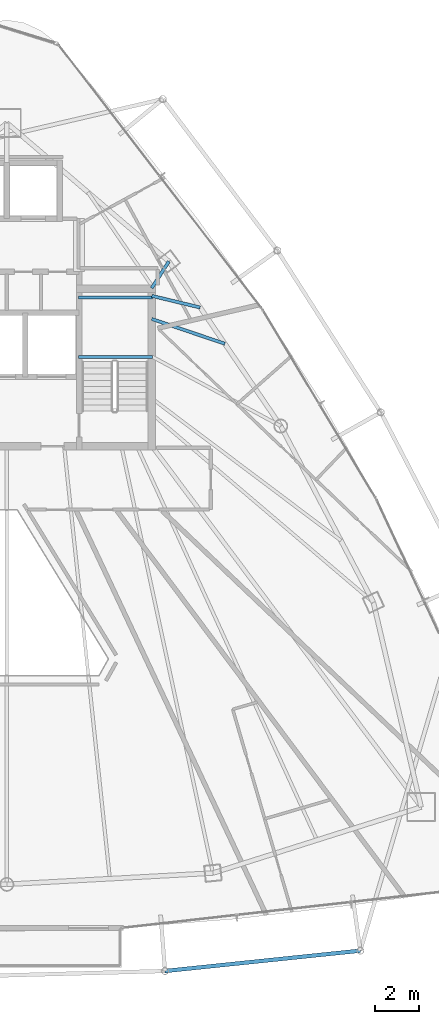
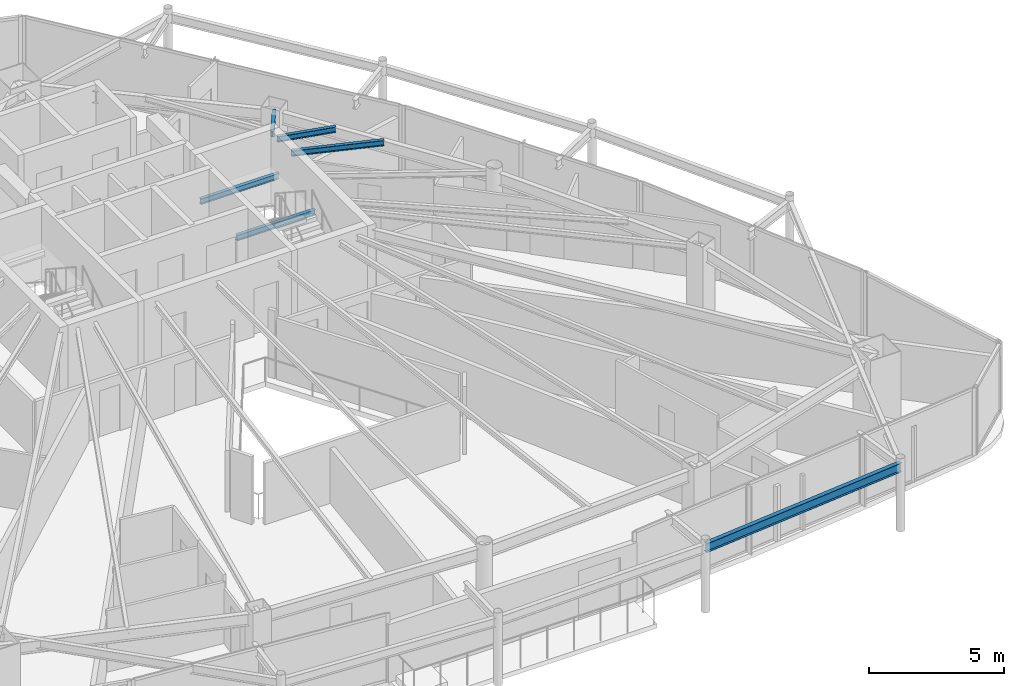
# One storey, part 13 of 32: 6 beams.
"""IFC4 building model written with IfcOpenShell, lengths in metres."""

from ifc_helpers import new_model, si_unit, direction, frame, origin, origin_2d, place, context, subcontext, project, spatial, i_section, extrude, material, material_profile, profile_set, type_object, element, save


model = new_model("IFC4")

# Units and contexts
model_context = context("Model", 3, precision=1e-05, world=origin(), true_north=direction((0.0, 1.0)))
body_context = subcontext(model_context, "Body", "Model", "MODEL_VIEW")
ifc_project = project(units=[si_unit("LENGTHUNIT", "METRE"), si_unit("AREAUNIT", "SQUARE_METRE"), si_unit("VOLUMEUNIT", "CUBIC_METRE"), si_unit("PLANEANGLEUNIT", "RADIAN"), si_unit("MASSUNIT", "GRAM", prefix="KILO")], contexts=[model_context])

# Site, building, storey
site_placement = place(None, origin())
site = spatial("IfcSite", under=ifc_project, at=site_placement, CompositionType="ELEMENT")
building_placement = place(site_placement, origin())
building = spatial("IfcBuilding", under=site, at=building_placement, Name="Orvanel Arch Residences", CompositionType="ELEMENT")
storey_placement = place(building_placement, frame((0.0, 0.0, 216.199951171875)))
storey = spatial("IfcBuildingStorey", under=building, at=storey_placement, Name="L61", CompositionType="ELEMENT", Elevation=216.199951171875)

# Beams
ifc_material = material(Name="Structural steel AS/NZS 3679.1 Grade 300 (300 MPa)", Category="steel")
ifc_material_profile_1 = material_profile(ifc_material, i_section(OverallWidth=0.14599609375, OverallDepth=0.251953125, WebThickness=0.006103515625, FlangeThickness=0.008544921875, at=origin_2d()), Name="250UB31.4")
ifc_profile_set_1 = profile_set([ifc_material_profile_1], Name="Structural steel AS/NZS 3679.1 Grade 300 (300 MPa)")
beam_type_1 = type_object("IfcBeamType", Name="BJ-250UB", PredefinedType="JOIST", material=ifc_profile_set_1)
for number, where, z_axis, x_axis, name in (
    (1, (36.25, 30.780029296875, 1.323974609375), (1.0, 0.0, 0.0), (0.0, 1.0, 0.0), "L61 ST-2 Half-Landing Support Beam 1.1"),
    (2, (36.25, 33.47998046875, 1.323974609375), (1.0, 0.0, 0.0), (0.0, 1.0, 0.0), "L61 ST-2 Half-Landing Support Beam 1.2"),
):
    element("IfcBeam", number, at=place(storey_placement, frame(where, z_axis=z_axis, x_axis=x_axis)), inside=storey, type_object=beam_type_1, Name=name, PredefinedType="JOIST", context=body_context, shape_type="SweptSolid", body=[
        extrude(i_section(OverallWidth=0.14599609375, OverallDepth=0.251953125, WebThickness=0.006103515625, FlangeThickness=0.008544921875, at=origin_2d()), origin(), (0.0, 0.0, 1.0), 3.35009765625),
    ])
beam_1_placement = place(storey_placement, frame((39.574951171875, 33.89990234375, 2.93408203125), z_axis=(0.539395075146, 0.842052820735, 0.0), x_axis=(-0.842052820735, 0.539395075146, 0.0)))
element("IfcBeam", 3, at=beam_1_placement, inside=storey, type_object=beam_type_1, Name="L61 NNE Wing Floor Joist", PredefinedType="JOIST", context=body_context, shape_type="SweptSolid", body=[
    extrude(i_section(OverallWidth=0.14599609375, OverallDepth=0.251953125, WebThickness=0.006103515625, FlangeThickness=0.008544921875, at=origin_2d()), origin(), (0.0, 0.0, 1.0), 1.440673828125),
])
beam_2_placement = place(storey_placement, frame((39.574951171875, 32.5, 2.93408203125), z_axis=(0.947159269453, -0.320763648641, 0.0), x_axis=(0.320763648641, 0.947159269453, 0.0)))
element("IfcBeam", 4, at=beam_2_placement, inside=storey, type_object=beam_type_1, Name="L61 ENE Wing Floor Joist", PredefinedType="JOIST", context=body_context, shape_type="SweptSolid", body=[
    extrude(i_section(OverallWidth=0.14599609375, OverallDepth=0.251953125, WebThickness=0.006103515625, FlangeThickness=0.008544921875, at=origin_2d()), origin(), (0.0, 0.0, 1.0), 3.501220703125),
])
beam_3_placement = place(storey_placement, frame((39.574951171875, 33.550048828125, 2.93408203125), z_axis=(0.972256833016, -0.23391590509, 0.0), x_axis=(0.23391590509, 0.972256833016, 0.0)))
element("IfcBeam", 5, at=beam_3_placement, inside=storey, type_object=beam_type_1, Name="L61 JADD4 Wing Floor Joist", PredefinedType="JOIST", context=body_context, shape_type="SweptSolid", body=[
    extrude(i_section(OverallWidth=0.14599609375, OverallDepth=0.251953125, WebThickness=0.006103515625, FlangeThickness=0.008544921875, at=origin_2d()), origin(), (0.0, 0.0, 1.0), 2.26171875),
])
ifc_material_profile_2 = material_profile(ifc_material, i_section(OverallWidth=0.177978515625, OverallDepth=0.406005859375, WebThickness=0.0078125, FlangeThickness=0.0126953125, at=origin_2d()), Name="410UB59.7")
ifc_profile_set_2 = profile_set([ifc_material_profile_2], Name="Structural steel AS/NZS 3679.1 Grade 300 (300 MPa)")
beam_type_2 = type_object("IfcBeamType", Name="OB-410UB-EXT", PredefinedType="SPANDREL", material=ifc_profile_set_2)
beam_4_placement = place(storey_placement, frame((40.178955078125, 2.909912109375, 2.85693359375), z_axis=(0.99462893471, 0.103504986538, 0.0), x_axis=(-0.103504986538, 0.99462893471, 0.0)))
element("IfcBeam", 6, at=beam_4_placement, inside=storey, type_object=beam_type_2, Name="L61 Outer Perimeter Floor Ring Beam 07", PredefinedType="SPANDREL", context=body_context, shape_type="SweptSolid", body=[
    extrude(i_section(OverallWidth=0.177978515625, OverallDepth=0.406005859375, WebThickness=0.0078125, FlangeThickness=0.0126953125, at=origin_2d()), origin(), (0.0, 0.0, 1.0), 8.908935546875),
])

save(model, "model.ifc")
